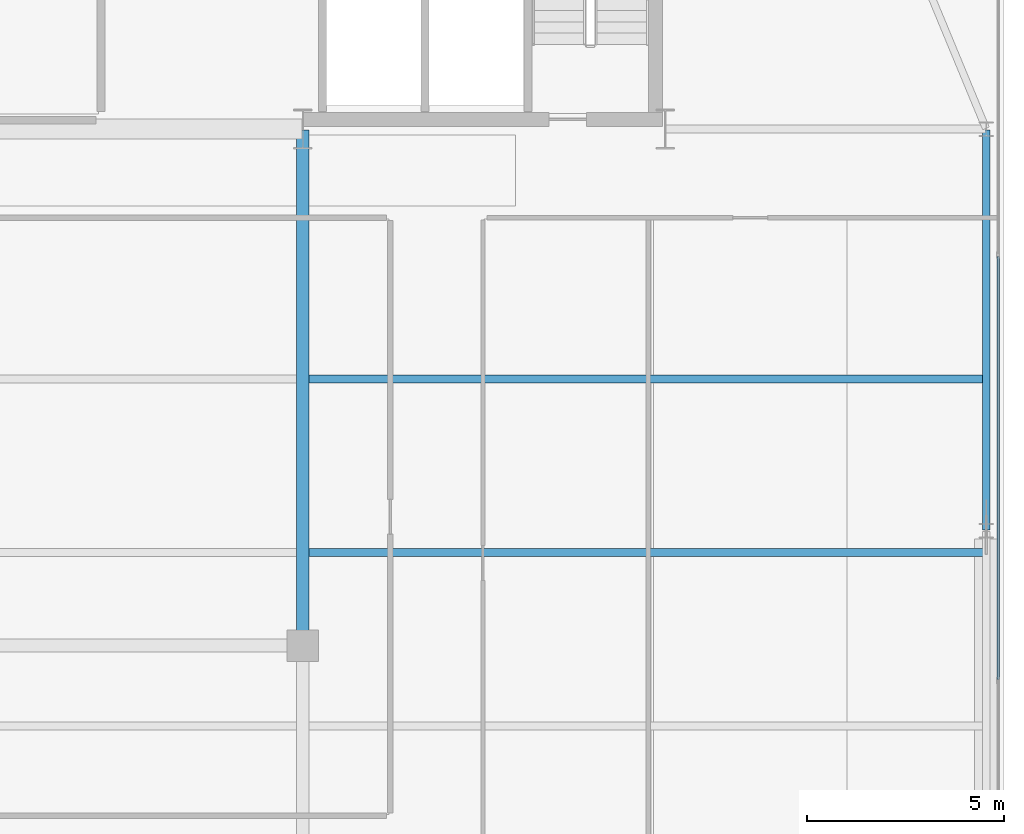
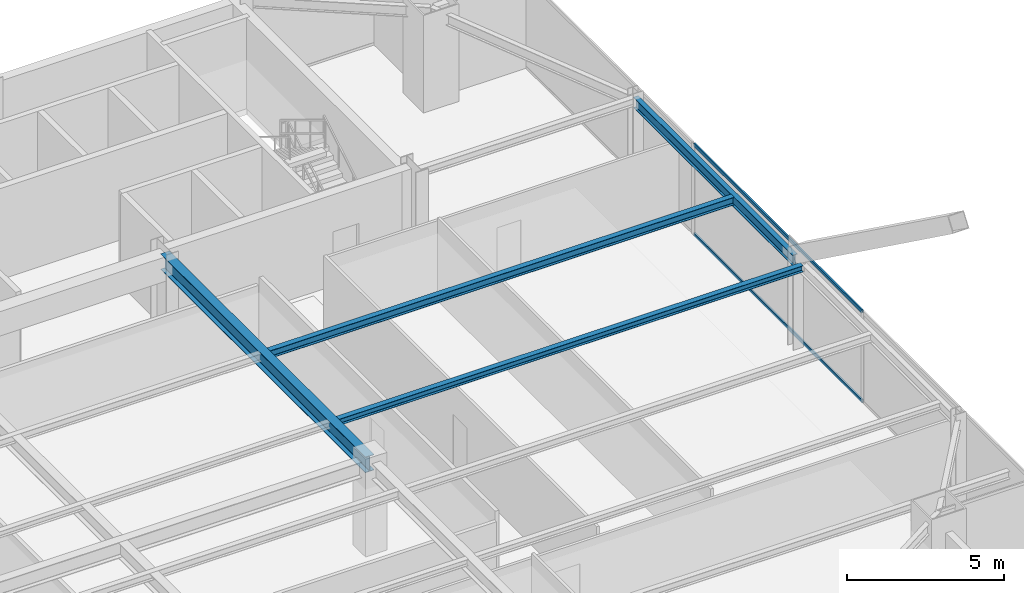
# One storey, part 18 of 30: 4 beams, 2 members, 1 element without a shape of its own.
"""IFC4 building model written with IfcOpenShell, lengths in metres."""

from ifc_helpers import new_model, si_unit, direction, frame, origin, origin_2d, place, context, subcontext, project, spatial, hollow_rectangle, i_section, extrude, source, transform, mapped, material, layer, layer_set, material_profile, profile_set, type_object, type_shapes, element, aggregate, save


model = new_model("IFC4")

# Units and contexts
model_context = context("Model", 3, precision=1e-05, world=origin(), true_north=direction((0.0, 1.0)))
body_context = subcontext(model_context, "Body", "Model", "MODEL_VIEW")
ifc_project = project(units=[si_unit("LENGTHUNIT", "METRE"), si_unit("AREAUNIT", "SQUARE_METRE"), si_unit("VOLUMEUNIT", "CUBIC_METRE"), si_unit("PLANEANGLEUNIT", "RADIAN"), si_unit("MASSUNIT", "GRAM", prefix="KILO")], contexts=[model_context])

# Site, building, storey
site_placement = place(None, origin())
site = spatial("IfcSite", under=ifc_project, at=site_placement, CompositionType="ELEMENT")
building_placement = place(site_placement, origin())
building = spatial("IfcBuilding", under=site, at=building_placement, Name="Varnel Quay Broadcast Tower", CompositionType="ELEMENT")
storey_placement = place(building_placement, frame((0.0, 0.0, 149.60009765625)))
storey = spatial("IfcBuildingStorey", under=building, at=storey_placement, Name="L36", CompositionType="ELEMENT", Elevation=149.60009765625)

# Beams
ifc_material_1 = material(Name="Structural Steel CSA G40.21 350W", Category="steel")
ifc_material_profile_1 = material_profile(ifc_material_1, i_section(OverallWidth=0.180908203125, OverallDepth=0.4169921875, WebThickness=0.010986328125, FlangeThickness=0.018310546875, FilletRadius=0.011962890625, at=origin_2d()), Name="W410X85")
ifc_profile_set_1 = profile_set([ifc_material_profile_1], Name="Structural Steel CSA G40.21 350W")
beam_type_1 = type_object("IfcBeamType", Name="Beam_W410X85", PredefinedType="SPANDREL", material=ifc_profile_set_1)
shared_shape_1 = source(origin(), body_context, "Body", "SweptSolid", [
    extrude(i_section(OverallWidth=0.180908203125, OverallDepth=0.4169921875, WebThickness=0.010986328125, FlangeThickness=0.018310546875, FilletRadius=0.011962890625, at=origin_2d()), origin(), (0.0, 0.0, 1.0), 10.16015625),
])
type_shapes(beam_type_1, [shared_shape_1])
beam_1_placement = place(storey_placement, frame((60.550048828125, 25.419921875, 3.34130859375), z_axis=(0.0, 1.0, 0.0), x_axis=(-1.0, 0.0, 0.0)))
element("IfcBeam", 1, at=beam_1_placement, inside=storey, type_object=beam_type_1, Name="L36 East Spandrel TC-E2-TC-E3", PredefinedType="SPANDREL", context=body_context, shape_type="MappedRepresentation", body=[
    mapped(shared_shape_1, transform((0.0, 0.0, 0.0), x_axis=(1.0, 0.0, 0.0), y_axis=(0.0, 1.0, 0.0), z_axis=(0.0, 0.0, 1.0), scale=1.0)),
])
ifc_material_profile_2 = material_profile(ifc_material_1, i_section(OverallWidth=0.324951171875, OverallDepth=0.615966796875, WebThickness=0.013916015625, FlangeThickness=0.021484375, FilletRadius=0.01611328125, at=origin_2d()), Name="W610X174")
ifc_profile_set_2 = profile_set([ifc_material_profile_2], Name="Structural Steel CSA G40.21 350W")
beam_type_2 = type_object("IfcBeamType", Name="Girder_W610X174", PredefinedType="BEAM", material=ifc_profile_set_2)
shared_shape_2 = source(origin(), body_context, "Body", "SweptSolid", [
    extrude(i_section(OverallWidth=0.324951171875, OverallDepth=0.615966796875, WebThickness=0.013916015625, FlangeThickness=0.021484375, FilletRadius=0.01611328125, at=origin_2d()), origin(), (0.0, 0.0, 1.0), 13.070068359375),
])
type_shapes(beam_type_2, [shared_shape_2])
beam_2_placement = place(storey_placement, frame((43.199951171875, 22.510009765625, 3.241943359375), z_axis=(0.0, 1.0, 0.0), x_axis=(-1.0, 0.0, 0.0)))
element("IfcBeam", 2, at=beam_2_placement, inside=storey, type_object=beam_type_2, Name="L36 Primary Girder IC-02-CC-S4", PredefinedType="BEAM", context=body_context, shape_type="MappedRepresentation", body=[
    mapped(shared_shape_2, transform((0.0, 0.0, 0.0), x_axis=(1.0, 0.0, 0.0), y_axis=(0.0, 1.0, 0.0), z_axis=(0.0, 0.0, 1.0), scale=1.0)),
])
ifc_material_profile_3 = material_profile(ifc_material_1, i_section(OverallWidth=0.202880859375, OverallDepth=0.302978515625, WebThickness=0.007568359375, FlangeThickness=0.01318359375, FilletRadius=0.011962890625, at=origin_2d()), Name="W310X60")
ifc_profile_set_3 = profile_set([ifc_material_profile_3], Name="Structural Steel CSA G40.21 350W")
beam_type_3 = type_object("IfcBeamType", Name="Beam_W310X60", PredefinedType="JOIST", material=ifc_profile_set_3)
shared_shape_3 = source(origin(), body_context, "Body", "SweptSolid", [
    extrude(i_section(OverallWidth=0.202880859375, OverallDepth=0.302978515625, WebThickness=0.007568359375, FlangeThickness=0.01318359375, FilletRadius=0.011962890625, at=origin_2d()), origin(), (0.0, 0.0, 1.0), 17.107177734375),
])
type_shapes(beam_type_3, [shared_shape_3])
beam_3_placement = place(storey_placement, frame((43.357421875, 29.25, 3.3984375), z_axis=(1.0, 0.0, 0.0), x_axis=(0.0, 1.0, 0.0)))
element("IfcBeam", 3, at=beam_3_placement, inside=storey, type_object=beam_type_3, Name="L36 East Floor Joist 5", PredefinedType="JOIST", context=body_context, shape_type="MappedRepresentation", body=[
    mapped(shared_shape_3, transform((0.0, 0.0, 0.0), x_axis=(1.0, 0.0, 0.0), y_axis=(0.0, 1.0, 0.0), z_axis=(0.0, 0.0, 1.0), scale=1.0)),
])
ifc_material_profile_4 = material_profile(ifc_material_1, i_section(OverallWidth=0.201904296875, OverallDepth=0.2470703125, WebThickness=0.00732421875, FlangeThickness=0.010986328125, FilletRadius=0.010986328125, at=origin_2d()), Name="W250X49")
ifc_profile_set_4 = profile_set([ifc_material_profile_4], Name="Structural Steel CSA G40.21 350W")
beam_type_4 = type_object("IfcBeamType", Name="Beam_W250X49", PredefinedType="JOIST", material=ifc_profile_set_4)
shared_shape_4 = source(origin(), body_context, "Body", "SweptSolid", [
    extrude(i_section(OverallWidth=0.201904296875, OverallDepth=0.2470703125, WebThickness=0.00732421875, FlangeThickness=0.010986328125, FilletRadius=0.010986328125, at=origin_2d()), origin(), (0.0, 0.0, 1.0), 17.107177734375),
])
type_shapes(beam_type_4, [shared_shape_4])
beam_4_placement = place(storey_placement, frame((43.357421875, 24.85009765625, 3.426513671875), z_axis=(1.0, 0.0, 0.0), x_axis=(0.0, 1.0, 0.0)))
element("IfcBeam", 4, at=beam_4_placement, inside=storey, type_object=beam_type_4, Name="L36 East Floor Joist 4", PredefinedType="JOIST", context=body_context, shape_type="MappedRepresentation", body=[
    mapped(shared_shape_4, transform((0.0, 0.0, 0.0), x_axis=(1.0, 0.0, 0.0), y_axis=(0.0, 1.0, 0.0), z_axis=(0.0, 0.0, 1.0), scale=1.0)),
])

# Curtain wall, members
ifc_material_2 = material(Name="Anodised Bronze Aluminium 6063-T6", Category="aluminium")
ifc_layer = layer(ifc_material_2, 0.18994140625, Name="Anodised Bronze Aluminium 6063-T6")
ifc_layer_set = layer_set([ifc_layer], Name="Anodised Bronze Aluminium 6063-T6")
curtain_wall_type = type_object("IfcCurtainWallType", Name="CW_UpperTower", PredefinedType="NOTDEFINED", material=ifc_layer_set)
curtain_wall_placement = place(storey_placement, origin())
curtain_wall = element("IfcCurtainWall", 5, at=curtain_wall_placement, inside=storey, type_object=curtain_wall_type, Name="L36 East Unitised Curtain Wall", PredefinedType="NOTDEFINED")
ifc_material_profile_5 = material_profile(ifc_material_2, hollow_rectangle(XDim=0.06005859375, YDim=0.125, WallThickness=0.0029296875, at=origin_2d()), Name="ALU60X125X3")
ifc_profile_set_5 = profile_set([ifc_material_profile_5], Name="Anodised Bronze Aluminium 6063-T6")
member_type = type_object("IfcMemberType", Name="Tran_CWS-03", PredefinedType="USERDEFINED", material=ifc_profile_set_5)
shared_shape_5 = source(origin(), body_context, "Body", "SweptSolid", [
    extrude(hollow_rectangle(XDim=0.06005859375, YDim=0.125, WallThickness=0.0029296875, at=origin_2d()), origin(), (0.0, 0.0, 1.0), 10.73486328125),
])
type_shapes(member_type, [shared_shape_5])
member_1_placement = place(storey_placement, frame((60.85009765625, 21.632568359375, 0.02978515625), z_axis=(0.0, 1.0, 0.0), x_axis=(-1.0, 0.0, 0.0)))
member_1 = element("IfcMember", 6, at=member_1_placement, type_object=member_type, Name="CWS-03 transom 2.1", ObjectType="TRANSOM", PredefinedType="USERDEFINED", context=body_context, shape_type="MappedRepresentation", body=[
    mapped(shared_shape_5, transform((0.0, 0.0, 0.0), x_axis=(1.0, 0.0, 0.0), y_axis=(0.0, 1.0, 0.0), z_axis=(0.0, 0.0, 1.0), scale=1.0)),
])
member_2_placement = place(storey_placement, frame((60.85009765625, 21.632568359375, 3.52001953125), z_axis=(0.0, 1.0, 0.0), x_axis=(-1.0, 0.0, 0.0)))
member_2 = element("IfcMember", 7, at=member_2_placement, type_object=member_type, Name="CWS-03 transom 2.2", ObjectType="TRANSOM", PredefinedType="USERDEFINED", context=body_context, shape_type="MappedRepresentation", body=[
    mapped(shared_shape_5, transform((0.0, 0.0, 0.0), x_axis=(1.0, 0.0, 0.0), y_axis=(0.0, 1.0, 0.0), z_axis=(0.0, 0.0, 1.0), scale=1.0)),
])
aggregate(curtain_wall, [member_1, member_2])

save(model, "model.ifc")
